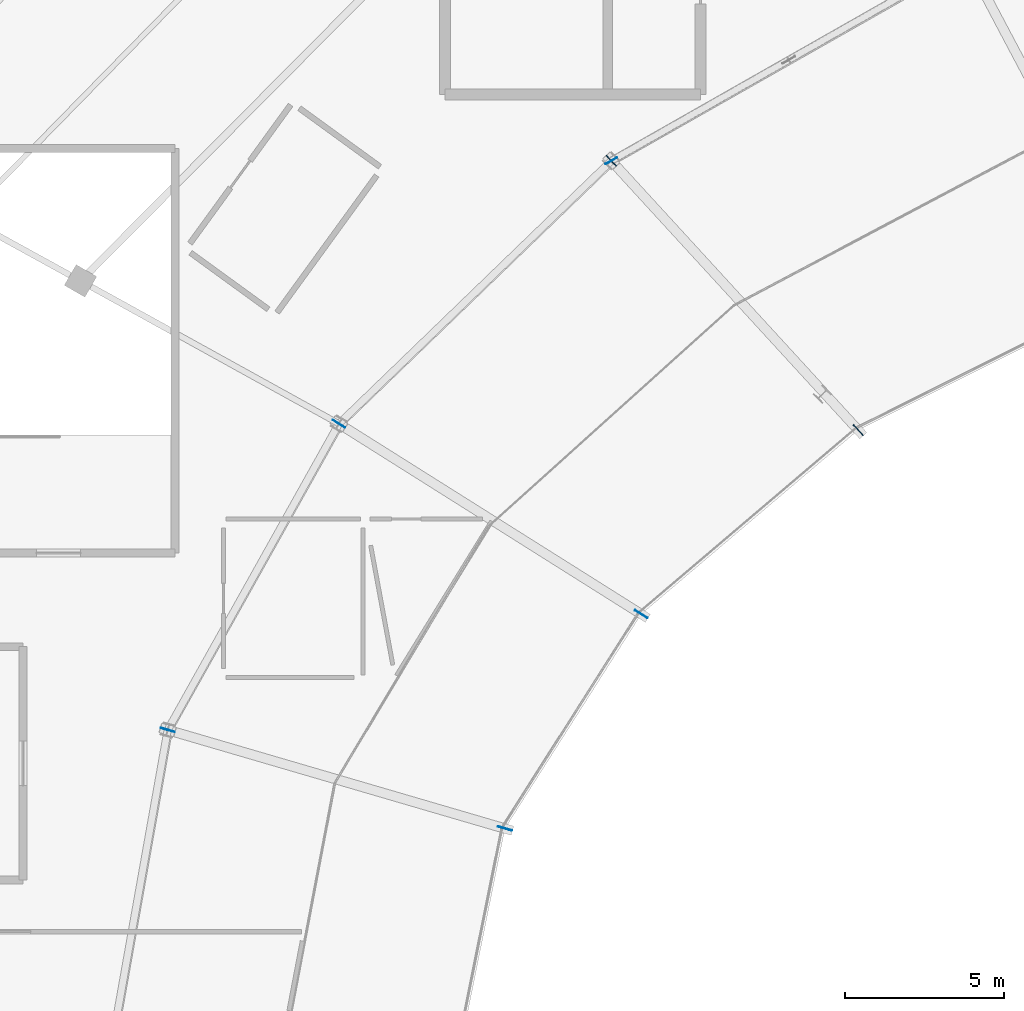
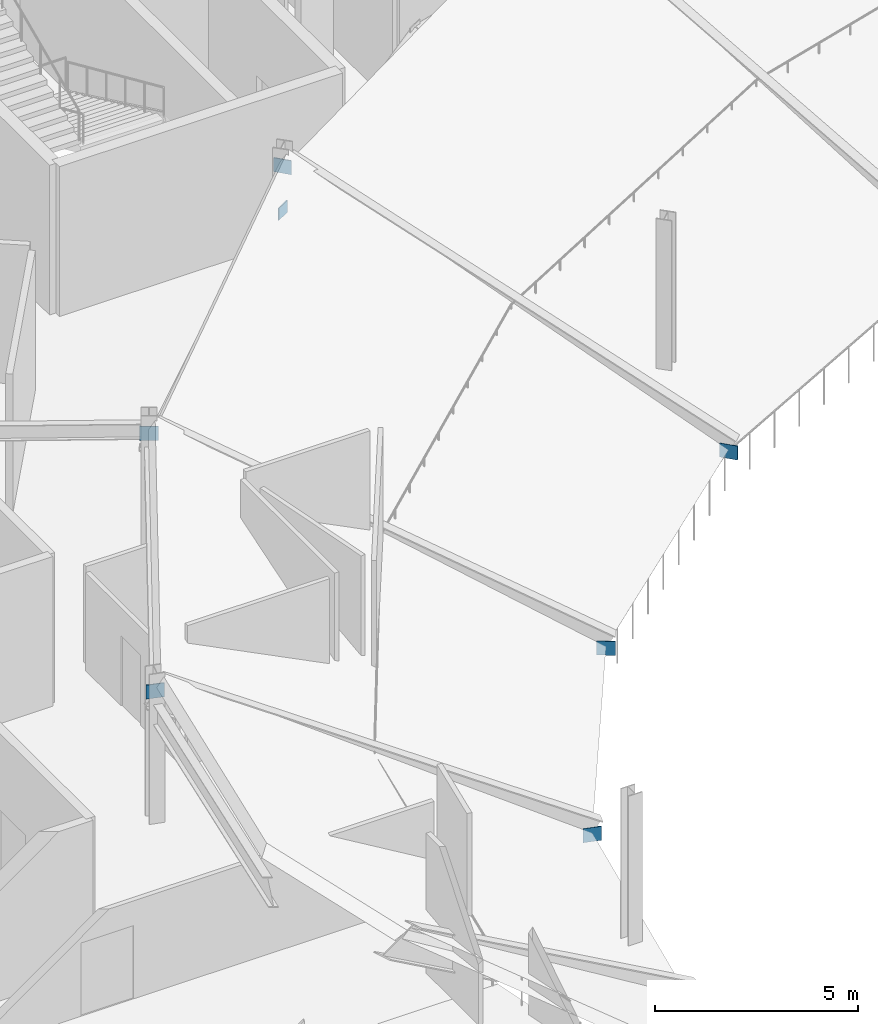
# One storey, part 25 of 63: 7 plates.
"""IFC4 building model written with IfcOpenShell, lengths in metres."""

from ifc_helpers import new_model, si_unit, direction, frame, origin, origin_2d, place, context, subcontext, project, spatial, rectangle, extrude, material, layer, layer_set, type_object, element, save


model = new_model("IFC4")

# Units and contexts
model_context = context("Model", 3, precision=1e-05, world=origin(), true_north=direction((0.0, 1.0)))
body_context = subcontext(model_context, "Body", "Model", "MODEL_VIEW")
ifc_project = project(units=[si_unit("LENGTHUNIT", "METRE"), si_unit("AREAUNIT", "SQUARE_METRE"), si_unit("VOLUMEUNIT", "CUBIC_METRE"), si_unit("PLANEANGLEUNIT", "RADIAN"), si_unit("MASSUNIT", "GRAM", prefix="KILO")], contexts=[model_context])

# Site, building, storey
site_placement = place(None, origin())
site = spatial("IfcSite", under=ifc_project, at=site_placement, CompositionType="ELEMENT")
building_placement = place(site_placement, origin())
building = spatial("IfcBuilding", under=site, at=building_placement, Name="Kalgoora Escarpment Arena", CompositionType="ELEMENT")
storey_placement = place(building_placement, frame((0.0, 0.0, 14.39990234375)))
storey = spatial("IfcBuildingStorey", under=building, at=storey_placement, Name="L03", CompositionType="ELEMENT", Elevation=14.39990234375)

# Plates
ifc_material = material(Name="Structural steel Grade 350 (350 MPa)", Category="steel")
ifc_layer = layer(ifc_material, 0.02490234375)
ifc_layer_set = layer_set([ifc_layer], Name="PLT-GUSSET-25")
plate_type = type_object("IfcPlateType", Name="PLT-GUSSET-25", PredefinedType="USERDEFINED", material=ifc_layer_set)
for number, where, z_axis, x_axis, name in (
    (1, (61.994384765625, 83.799072265625, -2.509765625), (0.0, 0.0, 1.0), (-0.675718876495, 0.737159412846, 0.0), "Upper bowl raker inner end plate R10"),
    (2, (54.21630859375, 92.2841796875, 3.64013671875), (0.0, 0.0, 1.0), (-0.675718876495, 0.737159412846, 0.0), "Upper bowl raker wall embedment plate R10"),
    (3, (55.160888671875, 78.0, -2.509765625), (0.0, 0.0, 1.0), (-0.846193166128, 0.532876276071, 0.0), "Upper bowl raker inner end plate R11"),
    (4, (45.634521484375, 84.0, 3.64013671875), (0.0, 0.0, 1.0), (-0.846193166128, 0.532876276071, 0.0), "Upper bowl raker wall embedment plate R11"),
    (5, (50.865234375, 71.246826171875, -2.509765625), (0.0, 0.0, 1.0), (-0.959854262938, 0.280499187022, 0.0), "Upper bowl raker inner end plate R12"),
    (6, (40.239990234375, 74.352783203125, 3.64013671875), (0.0, 0.0, 1.0), (-0.959854262938, 0.280499187022, 0.0), "Upper bowl raker wall embedment plate R12"),
):
    element("IfcPlate", number, at=place(storey_placement, frame(where, z_axis=z_axis, x_axis=x_axis)), inside=storey, type_object=plate_type, Name=name, ObjectType="FLANGE PLATE", PredefinedType="USERDEFINED", context=body_context, shape_type="SweptSolid", body=[
        extrude(rectangle(XDim=0.4599609375, YDim=0.02490234375, at=origin_2d()), origin(), (0.0, 0.0, 1.0), 0.419921875),
    ])
plate_placement = place(storey_placement, frame((54.21630859375, 92.2841796875, 2.33984375), z_axis=(0.0, 0.0, 1.0), x_axis=(0.869494929505, 0.493941866584, 0.0)))
element("IfcPlate", 7, at=plate_placement, inside=storey, type_object=plate_type, Name="Brace and post end gusset plate 028", ObjectType="FLANGE PLATE", PredefinedType="USERDEFINED", context=body_context, shape_type="SweptSolid", body=[
    extrude(rectangle(XDim=0.419921875, YDim=0.02490234375, at=origin_2d()), origin(), (0.0, 0.0, 1.0), 0.360107421875),
])

save(model, "model.ifc")
